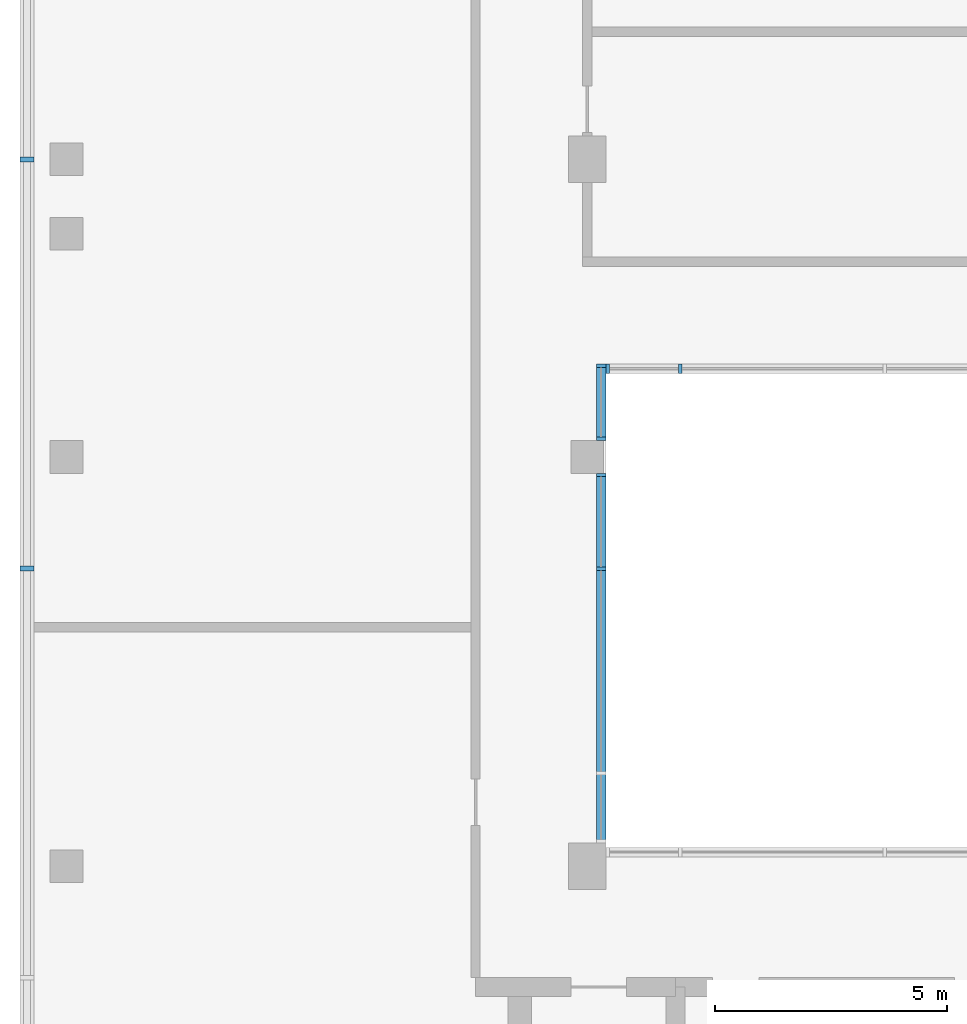
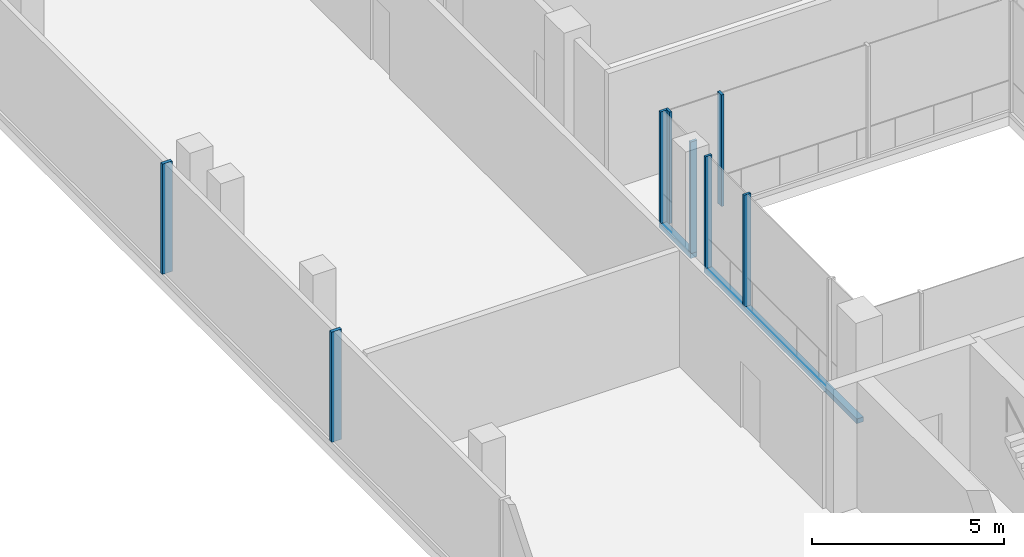
# One storey, part 3 of 11: 10 members, 4 elements without a shape of their own.
"""IFC4 building model written with IfcOpenShell, lengths in metres."""

from ifc_helpers import new_model, si_unit, direction, frame, origin, origin_2d, place, context, subcontext, project, spatial, rectangle, extrude, source, transform, mapped, material, material_profile, profile_set, type_object, element, aggregate, save


model = new_model("IFC4")

# Units and contexts
model_context = context("Model", 3, precision=1e-05, world=origin(), true_north=direction((0.0, 1.0)))
body_context = subcontext(model_context, "Body", "Model", "MODEL_VIEW")
ifc_project = project(units=[si_unit("LENGTHUNIT", "METRE"), si_unit("AREAUNIT", "SQUARE_METRE"), si_unit("VOLUMEUNIT", "CUBIC_METRE"), si_unit("PLANEANGLEUNIT", "RADIAN"), si_unit("MASSUNIT", "GRAM", prefix="KILO")], contexts=[model_context])

# Site, building, storey
site_placement = place(None, origin())
site = spatial("IfcSite", under=ifc_project, at=site_placement, CompositionType="ELEMENT")
building_placement = place(site_placement, origin())
building = spatial("IfcBuilding", under=site, at=building_placement, Name="Kemantara Hotel Tower", CompositionType="ELEMENT")
storey_placement = place(building_placement, frame((0.0, 0.0, 322.199951171875)))
storey = spatial("IfcBuildingStorey", under=building, at=storey_placement, Name="L81", CompositionType="ELEMENT", Elevation=322.199951171875)

# Curtain wall, member
ifc_material_1 = material(Name="Clear low-iron laminated glass 36 mm", Category="glass")
curtain_wall_type_1 = type_object("IfcCurtainWallType", Name="ATRIUM GLAZING WALL", PredefinedType="USERDEFINED", material=ifc_material_1)
curtain_wall_1_placement = place(storey_placement, origin())
curtain_wall_1 = element("IfcCurtainWall", 1, at=curtain_wall_1_placement, inside=storey, type_object=curtain_wall_type_1, Name="CW5 L81 ATR-R3-1", ObjectType="ATRIUM GLAZING WALL", PredefinedType="USERDEFINED")
ifc_material_2 = material(Name="Aluminium 6063-T6 bronze anodised", Category="aluminium")
ifc_material_profile_1 = material_profile(ifc_material_2, rectangle(XDim=0.199951171875, YDim=0.14990234375, at=origin_2d()), Name="ATRIUM GLAZING WALL TRANSOM")
ifc_profile_set_1 = profile_set([ifc_material_profile_1], Name="Aluminium 6063-T6 bronze anodised")
member_type_1 = type_object("IfcMemberType", Name="ATRIUM GLAZING WALL TRANSOM", PredefinedType="USERDEFINED", material=ifc_profile_set_1)
member_1_placement = place(storey_placement, frame((12.5, 12.699951171875, 0.074951171875), z_axis=(0.0, 1.0, 0.0), x_axis=(-1.0, 0.0, 0.0)))
member_1 = element("IfcMember", 2, at=member_1_placement, type_object=member_type_1, Name="CW5 sill transom ATR-R3-1", ObjectType="TRANSOM", PredefinedType="USERDEFINED", context=body_context, shape_type="SweptSolid", body=[
    extrude(rectangle(XDim=0.199951171875, YDim=0.14990234375, at=origin_2d()), origin(), (0.0, 0.0, 1.0), 7.949951171875),
])

curtain_wall_2_placement = place(storey_placement, origin())
curtain_wall_2 = element("IfcCurtainWall", 3, at=curtain_wall_2_placement, inside=storey, type_object=curtain_wall_type_1, Name="CW5 L81 ATR-R3-2", ObjectType="ATRIUM GLAZING WALL", PredefinedType="USERDEFINED")
member_2_placement = place(storey_placement, frame((12.5, 21.35009765625, 0.074951171875), z_axis=(0.0, 1.0, 0.0), x_axis=(-1.0, 0.0, 0.0)))
member_2 = element("IfcMember", 4, at=member_2_placement, type_object=member_type_1, Name="CW5 sill transom ATR-R3-2", ObjectType="TRANSOM", PredefinedType="USERDEFINED", context=body_context, shape_type="SweptSolid", body=[
    extrude(rectangle(XDim=0.199951171875, YDim=0.14990234375, at=origin_2d()), origin(), (0.0, 0.0, 1.0), 1.64990234375),
])

# Curtain wall, members
curtain_wall_type_2 = type_object("IfcCurtainWallType", Name="CROWN LOUVRE SCREEN WALL", PredefinedType="USERDEFINED", material=ifc_material_2)
curtain_wall_3_placement = place(storey_placement, origin())
curtain_wall_3 = element("IfcCurtainWall", 5, at=curtain_wall_3_placement, inside=storey, type_object=curtain_wall_type_2, Name="CW7 L81 CRN-R05-1", ObjectType="CROWN LOUVRE SCREEN WALL", PredefinedType="USERDEFINED")
ifc_material_profile_2 = material_profile(ifc_material_2, rectangle(XDim=0.300048828125, YDim=0.10009765625, at=origin_2d()), Name="CROWN LOUVRE SCREEN WALL MULLION")
ifc_profile_set_2 = profile_set([ifc_material_profile_2], Name="Aluminium 6063-T6 bronze anodised")
member_type_2 = type_object("IfcMemberType", Name="CROWN LOUVRE SCREEN WALL MULLION", PredefinedType="MULLION", material=ifc_profile_set_2)
shared_shape_1 = source(origin(), body_context, "Body", "SweptSolid", [
    extrude(rectangle(XDim=0.300048828125, YDim=0.10009765625, at=origin_2d()), origin(), (0.0, 0.0, 1.0), 3.5),
])
member_3_placement = place(storey_placement, frame((0.14990234375, 27.39990234375, 0.199951171875), z_axis=(0.0, 0.0, 1.0), x_axis=(1.0, 0.0, 0.0)))
member_3 = element("IfcMember", 6, at=member_3_placement, type_object=member_type_2, Name="CW7 mullion CRN-R05-1.5", PredefinedType="MULLION", context=body_context, shape_type="MappedRepresentation", body=[
    mapped(shared_shape_1, transform((0.0, 0.0, 0.0))),
])
member_4_placement = place(storey_placement, frame((0.14990234375, 18.60009765625, 0.199951171875), z_axis=(0.0, 0.0, 1.0), x_axis=(1.0, 0.0, 0.0)))
member_4 = element("IfcMember", 7, at=member_4_placement, type_object=member_type_2, Name="CW7 mullion CRN-R05-1.6", PredefinedType="MULLION", context=body_context, shape_type="MappedRepresentation", body=[
    mapped(shared_shape_1, transform((0.0, 0.0, 0.0))),
])
aggregate(curtain_wall_3, [member_3, member_4])

curtain_wall_4_placement = place(storey_placement, origin())
curtain_wall_4 = element("IfcCurtainWall", 8, at=curtain_wall_4_placement, inside=storey, type_object=curtain_wall_type_1, Name="CW5 L81 ATR-R0-1", ObjectType="ATRIUM GLAZING WALL", PredefinedType="USERDEFINED")
ifc_material_profile_3 = material_profile(ifc_material_2, rectangle(XDim=0.199951171875, YDim=0.074951171875, at=origin_2d()), Name="ATRIUM GLAZING WALL MULLION")
ifc_profile_set_3 = profile_set([ifc_material_profile_3], Name="Aluminium 6063-T6 bronze anodised")
member_type_3 = type_object("IfcMemberType", Name="ATRIUM GLAZING WALL MULLION", PredefinedType="MULLION", material=ifc_profile_set_3)
shared_shape_2 = source(origin(), body_context, "Body", "SweptSolid", [
    extrude(rectangle(XDim=0.199951171875, YDim=0.074951171875, at=origin_2d()), origin(), (0.0, 0.0, 1.0), 3.5498046875),
])
member_5_placement = place(storey_placement, frame((12.637451171875, 22.89990234375, 0.150146484375), z_axis=(0.0, 0.0, 1.0), x_axis=(0.0, 1.0, 0.0)))
member_5 = element("IfcMember", 9, at=member_5_placement, type_object=member_type_3, Name="CW5 mullion ATR-R0-1.1", PredefinedType="MULLION", context=body_context, shape_type="MappedRepresentation", body=[
    mapped(shared_shape_2, transform((0.0, 0.0, 0.0))),
])
member_6_placement = place(storey_placement, frame((14.199951171875, 22.89990234375, 0.150146484375), z_axis=(0.0, 0.0, 1.0), x_axis=(0.0, 1.0, 0.0)))
member_6 = element("IfcMember", 10, at=member_6_placement, type_object=member_type_3, Name="CW5 mullion ATR-R0-1.2", PredefinedType="MULLION", context=body_context, shape_type="MappedRepresentation", body=[
    mapped(shared_shape_2, transform((0.0, 0.0, 0.0))),
])
aggregate(curtain_wall_4, [member_5, member_6])

# Member
member_7_placement = place(storey_placement, frame((12.5, 18.60009765625, 0.150146484375), z_axis=(0.0, 0.0, 1.0), x_axis=(-1.0, 0.0, 0.0)))
member_7 = element("IfcMember", 11, at=member_7_placement, type_object=member_type_3, Name="CW5 mullion ATR-R3-1.3", PredefinedType="MULLION", context=body_context, shape_type="MappedRepresentation", body=[
    mapped(shared_shape_2, transform((0.0, 0.0, 0.0))),
])

member_8_placement = place(storey_placement, frame((12.5, 20.612548828125, 0.150146484375), z_axis=(0.0, 0.0, 1.0), x_axis=(-1.0, 0.0, 0.0)))
member_8 = element("IfcMember", 12, at=member_8_placement, type_object=member_type_3, Name="CW5 mullion ATR-R3-1.4", PredefinedType="MULLION", context=body_context, shape_type="MappedRepresentation", body=[
    mapped(shared_shape_2, transform((0.0, 0.0, 0.0))),
])

aggregate(curtain_wall_1, [member_1, member_7, member_8])

member_9_placement = place(storey_placement, frame((12.5, 21.387451171875, 0.150146484375), z_axis=(0.0, 0.0, 1.0), x_axis=(-1.0, 0.0, 0.0)))
member_9 = element("IfcMember", 13, at=member_9_placement, type_object=member_type_3, Name="CW5 mullion ATR-R3-2.1", PredefinedType="MULLION", context=body_context, shape_type="MappedRepresentation", body=[
    mapped(shared_shape_2, transform((0.0, 0.0, 0.0))),
])

member_10_placement = place(storey_placement, frame((12.5, 22.96240234375, 0.150146484375), z_axis=(0.0, 0.0, 1.0), x_axis=(-1.0, 0.0, 0.0)))
member_10 = element("IfcMember", 14, at=member_10_placement, type_object=member_type_3, Name="CW5 mullion ATR-R3-2.2", PredefinedType="MULLION", context=body_context, shape_type="MappedRepresentation", body=[
    mapped(shared_shape_2, transform((0.0, 0.0, 0.0))),
])

aggregate(curtain_wall_2, [member_2, member_9, member_10])

save(model, "model.ifc")
